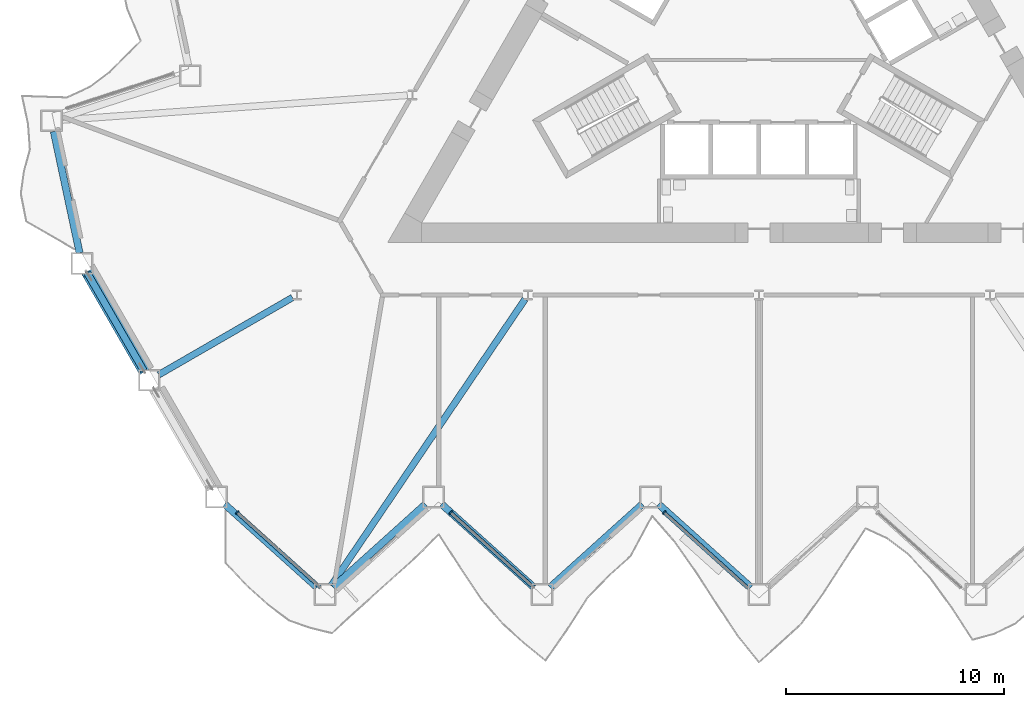
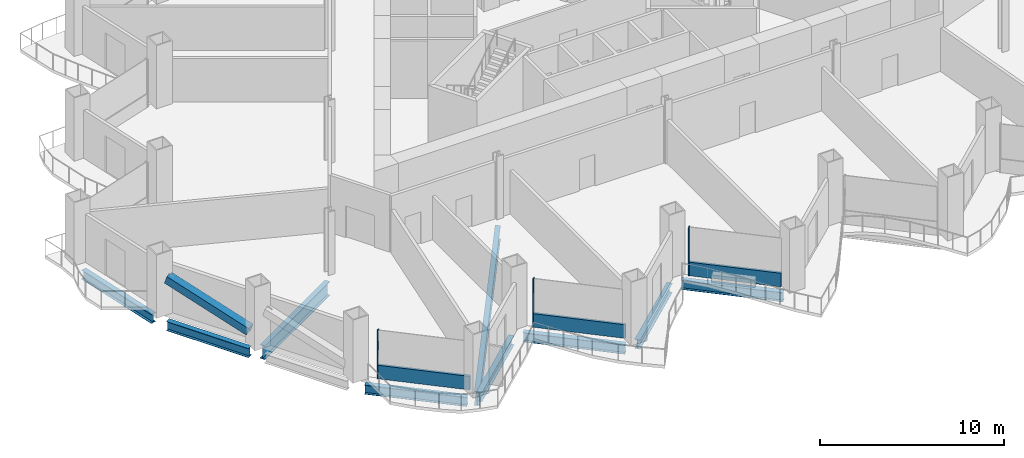
# One storey, part 2 of 20: 9 beams, 7 members, 3 elements without a shape of their own.
"""IFC4 building model written with IfcOpenShell, lengths in metres."""

from ifc_helpers import new_model, si_unit, direction, frame, origin, origin_2d, place, context, subcontext, project, spatial, rectangle, hollow_rectangle, i_section, extrude, material, layer, layer_set, material_profile, profile_set, type_object, element, aggregate, save


model = new_model("IFC4")

# Units and contexts
model_context = context("Model", 3, precision=1e-05, world=origin(), true_north=direction((0.0, 1.0)))
body_context = subcontext(model_context, "Body", "Model", "MODEL_VIEW")
ifc_project = project(units=[si_unit("LENGTHUNIT", "METRE"), si_unit("AREAUNIT", "SQUARE_METRE"), si_unit("VOLUMEUNIT", "CUBIC_METRE"), si_unit("PLANEANGLEUNIT", "RADIAN"), si_unit("MASSUNIT", "GRAM", prefix="KILO")], contexts=[model_context])

# Site, building, storey
site_placement = place(None, origin())
site = spatial("IfcSite", under=ifc_project, at=site_placement, CompositionType="ELEMENT")
building_placement = place(site_placement, origin())
building = spatial("IfcBuilding", under=site, at=building_placement, Name="Cormorant Prow Tower", CompositionType="ELEMENT")
storey_placement = place(building_placement, frame((0.0, 0.0, 63.60009765625)))
storey = spatial("IfcBuildingStorey", under=building, at=storey_placement, Name="L13", CompositionType="ELEMENT", Elevation=63.60009765625)

# Member
ifc_material_1 = material(Name="Structural steel ASTM A500 Gr C", Category="steel")
ifc_material_profile_1 = material_profile(ifc_material_1, hollow_rectangle(XDim=0.508056640625, YDim=0.508056640625, WallThickness=0.014892578125, at=origin_2d()), Name="HSS20x20x5/8")
ifc_profile_set_1 = profile_set([ifc_material_profile_1], Name="Structural steel ASTM A500 Gr C")
member_type_1 = type_object("IfcMemberType", Name="Chamfer brace HSS20x20x5/8", PredefinedType="BRACE", material=ifc_profile_set_1)
member_1_placement = place(storey_placement, frame((-28.174560546875, -15.667724609375, 0.76708984375), z_axis=(-0.475875326044, 0.824258984489, 0.306822099191), x_axis=(-0.866030326616, -0.499991473309, 0.0)))
element("IfcMember", 1, at=member_1_placement, inside=storey, type_object=member_type_1, Name="Chamfer brace BR1 at WSW00 L13", PredefinedType="BRACE", context=body_context, shape_type="SweptSolid", body=[
    extrude(hollow_rectangle(XDim=0.508056640625, YDim=0.508056640625, WallThickness=0.014892578125, at=origin_2d()), origin(), (0.0, 0.0, 1.0), 5.392578125),
])

# Curtain wall, member
ifc_material_2 = material(Name="Aluminium 6063-T6", Category="aluminium")
ifc_layer = layer(ifc_material_2, 0.199951171875)
ifc_layer_set = layer_set([ifc_layer], Name="Aluminium 6063-T6")
curtain_wall_type = type_object("IfcCurtainWallType", Name="Office unitised curtain wall 200", PredefinedType="NOTDEFINED", material=ifc_layer_set)
curtain_wall_1_placement = place(storey_placement, origin())
curtain_wall_1 = element("IfcCurtainWall", 2, at=curtain_wall_1_placement, inside=storey, type_object=curtain_wall_type, Name="Office curtain wall S00", PredefinedType="NOTDEFINED")
ifc_material_3 = material(Name="Aluminium 6063-T6", Category="aluminium")
ifc_material_profile_2 = material_profile(ifc_material_3, rectangle(XDim=0.199951171875, YDim=0.06005859375, at=origin_2d()), Name="Office mullion 60x200")
ifc_profile_set_2 = profile_set([ifc_material_profile_2], Name="Aluminium 6063-T6")
member_type_2 = type_object("IfcMemberType", Name="Office mullion 60x200", PredefinedType="MULLION", material=ifc_profile_set_2)
member_2_placement = place(storey_placement, frame((-23.89404296875, -22.176513671875, 0.0), z_axis=(0.0, 0.0, 1.0), x_axis=(0.669130625166, 0.743144808544, 0.0)))
member_2 = element("IfcMember", 3, at=member_2_placement, type_object=member_type_2, Name="Office mullion S00", PredefinedType="MULLION", context=body_context, shape_type="SweptSolid", body=[
    extrude(rectangle(XDim=0.199951171875, YDim=0.06005859375, at=origin_2d()), origin(), (0.0, 0.0, 1.0), 3.188720703125),
])

curtain_wall_2_placement = place(storey_placement, origin())
curtain_wall_2 = element("IfcCurtainWall", 4, at=curtain_wall_2_placement, inside=storey, type_object=curtain_wall_type, Name="Office curtain wall S02", PredefinedType="NOTDEFINED")
member_3_placement = place(storey_placement, frame((-14.11865234375, -22.176513671875, 0.0), z_axis=(0.0, 0.0, 1.0), x_axis=(0.669130625166, 0.743144808544, 0.0)))
member_3 = element("IfcMember", 5, at=member_3_placement, type_object=member_type_2, Name="Office mullion S02", PredefinedType="MULLION", context=body_context, shape_type="SweptSolid", body=[
    extrude(rectangle(XDim=0.199951171875, YDim=0.06005859375, at=origin_2d()), origin(), (0.0, 0.0, 1.0), 3.188720703125),
])

curtain_wall_3_placement = place(storey_placement, origin())
curtain_wall_3 = element("IfcCurtainWall", 6, at=curtain_wall_3_placement, inside=storey, type_object=curtain_wall_type, Name="Office curtain wall S04", PredefinedType="NOTDEFINED")
member_4_placement = place(storey_placement, frame((-4.343017578125, -22.176513671875, 0.0), z_axis=(0.0, 0.0, 1.0), x_axis=(0.669130625166, 0.743144808544, 0.0)))
member_4 = element("IfcMember", 7, at=member_4_placement, type_object=member_type_2, Name="Office mullion S04", PredefinedType="MULLION", context=body_context, shape_type="SweptSolid", body=[
    extrude(rectangle(XDim=0.199951171875, YDim=0.06005859375, at=origin_2d()), origin(), (0.0, 0.0, 1.0), 3.188720703125),
])

# Member
ifc_material_4 = material(Name="Terracotta", Category="masonry")
ifc_material_profile_3 = material_profile(ifc_material_4, rectangle(XDim=0.159912109375, YDim=0.89990234375, at=origin_2d()), Name="Office terracotta spandrel rail 160x900")
ifc_profile_set_3 = profile_set([ifc_material_profile_3], Name="Terracotta")
member_type_3 = type_object("IfcMemberType", Name="Office terracotta spandrel rail 160x900", PredefinedType="USERDEFINED", material=ifc_profile_set_3)
member_5_placement = place(storey_placement, frame((-23.871826171875, -22.196533203125, 0.449951171875), z_axis=(0.743156371999, -0.669117782425, 0.0), x_axis=(0.669117782425, 0.743156371999, 0.0)))
member_5 = element("IfcMember", 8, at=member_5_placement, type_object=member_type_3, Name="Office spandrel rail S00", ObjectType="TRANSOM", PredefinedType="USERDEFINED", context=body_context, shape_type="SweptSolid", body=[
    extrude(rectangle(XDim=0.159912109375, YDim=0.89990234375, at=origin_2d()), origin(), (0.0, 0.0, 1.0), 5.111083984375),
])

aggregate(curtain_wall_1, [member_2, member_5])

member_6_placement = place(storey_placement, frame((-14.09619140625, -22.196533203125, 0.449951171875), z_axis=(0.743156371999, -0.669117782425, 0.0), x_axis=(0.669117782425, 0.743156371999, 0.0)))
member_6 = element("IfcMember", 9, at=member_6_placement, type_object=member_type_3, Name="Office spandrel rail S02", ObjectType="TRANSOM", PredefinedType="USERDEFINED", context=body_context, shape_type="SweptSolid", body=[
    extrude(rectangle(XDim=0.159912109375, YDim=0.89990234375, at=origin_2d()), origin(), (0.0, 0.0, 1.0), 5.111083984375),
])

aggregate(curtain_wall_2, [member_3, member_6])

member_7_placement = place(storey_placement, frame((-4.32080078125, -22.196533203125, 0.449951171875), z_axis=(0.743156371999, -0.669117782425, 0.0), x_axis=(0.669117782425, 0.743156371999, 0.0)))
member_7 = element("IfcMember", 10, at=member_7_placement, type_object=member_type_3, Name="Office spandrel rail S04", ObjectType="TRANSOM", PredefinedType="USERDEFINED", context=body_context, shape_type="SweptSolid", body=[
    extrude(rectangle(XDim=0.159912109375, YDim=0.89990234375, at=origin_2d()), origin(), (0.0, 0.0, 1.0), 5.111083984375),
])

aggregate(curtain_wall_3, [member_4, member_7])

# Beams
ifc_material_5 = material(Name="Structural steel ASTM A992 Gr 50", Category="steel")
ifc_material_profile_4 = material_profile(ifc_material_5, i_section(OverallWidth=0.3046875, OverallDepth=0.914794921875, WebThickness=0.0166015625, FlangeThickness=0.02587890625, at=origin_2d()), Name="W36x160")
ifc_profile_set_4 = profile_set([ifc_material_profile_4], Name="Structural steel ASTM A992 Gr 50")
beam_type_1 = type_object("IfcBeamType", Name="Radial floor beam W36x160", PredefinedType="BEAM", material=ifc_profile_set_4)
beam_1_placement = place(storey_placement, frame((-21.358154296875, -12.3310546875, -0.857421875), z_axis=(-0.866014253463, -0.500019312426, 0.0), x_axis=(0.500019312426, -0.866014253463, 0.0)))
element("IfcBeam", 11, at=beam_1_placement, inside=storey, type_object=beam_type_1, Name="Radial floor beam FB1 5 L13", PredefinedType="BEAM", context=body_context, shape_type="SweptSolid", body=[
    extrude(i_section(OverallWidth=0.3046875, OverallDepth=0.914794921875, WebThickness=0.0166015625, FlangeThickness=0.02587890625, at=origin_2d()), origin(), (0.0, 0.0, 1.0), 7.071533203125),
])
beam_2_placement = place(storey_placement, frame((-10.708740234375, -12.4072265625, -0.857421875), z_axis=(-0.560597160775, -0.828088656685, 0.0), x_axis=(0.828088656685, -0.560597160775, 0.0)))
element("IfcBeam", 12, at=beam_2_placement, inside=storey, type_object=beam_type_1, Name="Radial floor beam FB1 6 L13", PredefinedType="BEAM", context=body_context, shape_type="SweptSolid", body=[
    extrude(i_section(OverallWidth=0.3046875, OverallDepth=0.914794921875, WebThickness=0.0166015625, FlangeThickness=0.02587890625, at=origin_2d()), origin(), (0.0, 0.0, 1.0), 15.831787109375),
])
ifc_material_6 = material(Name="Structural steel ASTM A992 Gr 50", Category="steel")
ifc_material_profile_5 = material_profile(ifc_material_6, i_section(OverallWidth=0.32373046875, OverallDepth=0.611083984375, WebThickness=0.0126953125, FlangeThickness=0.01904296875, at=origin_2d()), Name="W24x104")
ifc_profile_set_5 = profile_set([ifc_material_profile_5], Name="Structural steel ASTM A992 Gr 50")
beam_type_2 = type_object("IfcBeamType", Name="Spandrel beam W24x104", PredefinedType="SPANDREL", material=ifc_profile_set_5)
for number, where, z_axis, x_axis, name in (
    (13, (-24.458740234375, -21.79443359375, -0.70556640625), (0.743129630386, -0.669147481833, 0.0), (0.669147481833, 0.743129630386, 0.0), "Spandrel beam SB1 S00-S01 L13"),
    (14, (-19.49267578125, -25.596923828125, -0.70556640625), (0.743129630386, 0.669147481833, 0.0), (-0.669147481833, 0.743129630386, 0.0), "Spandrel beam SB1 S01-S02 L13"),
    (15, (-14.526611328125, -21.79443359375, -0.70556640625), (0.743129630386, -0.669147481833, 0.0), (0.669147481833, 0.743129630386, 0.0), "Spandrel beam SB1 S02-S03 L13"),
    (16, (-9.560546875, -25.596923828125, -0.70556640625), (0.743129630386, 0.669147481833, 0.0), (-0.669147481833, 0.743129630386, 0.0), "Spandrel beam SB1 S03-S04 L13"),
    (17, (-4.594482421875, -21.79443359375, -0.70556640625), (0.743129630386, -0.669147481833, 0.0), (0.669147481833, 0.743129630386, 0.0), "Spandrel beam SB1 S04-S05 L13"),
    (18, (-32.285400390625, -4.726318359375, -0.70556640625), (0.207900376723, -0.97815000555, 0.0), (0.97815000555, 0.207900376723, 0.0), "Spandrel beam SB1 WNW09-WSW00 L13"),
):
    element("IfcBeam", number, at=place(storey_placement, frame(where, z_axis=z_axis, x_axis=x_axis)), inside=storey, type_object=beam_type_2, Name=name, PredefinedType="SPANDREL", context=body_context, shape_type="SweptSolid", body=[
        extrude(i_section(OverallWidth=0.32373046875, OverallDepth=0.611083984375, WebThickness=0.0126953125, FlangeThickness=0.01904296875, at=origin_2d()), origin(), (0.0, 0.0, 1.0), 5.6826171875),
    ])
beam_3_placement = place(storey_placement, frame((-30.75, -11.206787109375, -0.70556640625), z_axis=(0.49998408811, -0.866034590324, 0.0), x_axis=(0.866034590324, 0.49998408811, 0.0)))
element("IfcBeam", 19, at=beam_3_placement, inside=storey, type_object=beam_type_2, Name="Spandrel beam SB1 WSW00-WSW01 L13", PredefinedType="SPANDREL", context=body_context, shape_type="SweptSolid", body=[
    extrude(i_section(OverallWidth=0.32373046875, OverallDepth=0.611083984375, WebThickness=0.0126953125, FlangeThickness=0.01904296875, at=origin_2d()), origin(), (0.0, 0.0, 1.0), 5.169677734375),
])

save(model, "model.ifc")
